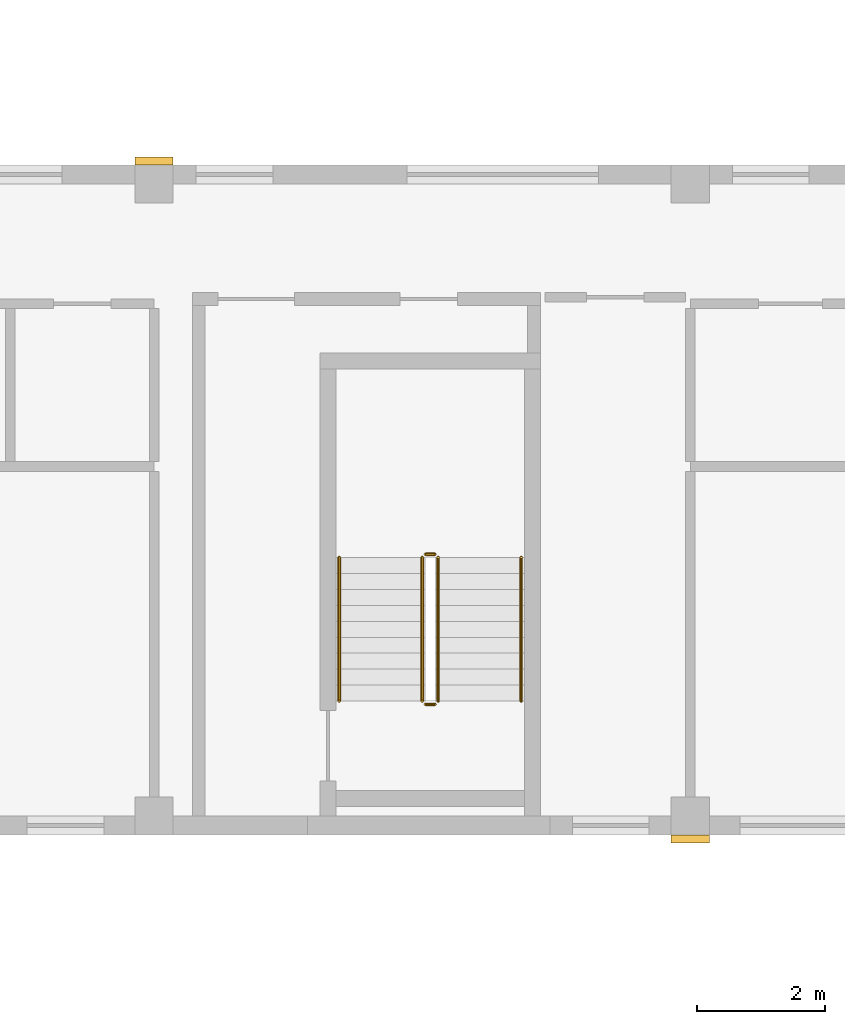
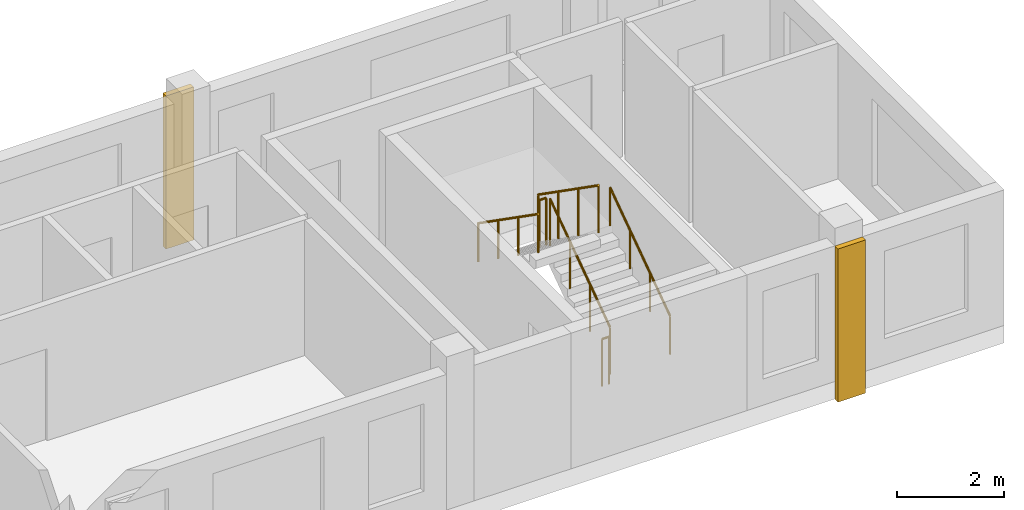
# One storey, part 9 of 10: 6 railings, 2 coverings.
"""IFC4 building model written with IfcOpenShell, lengths in metres."""

from ifc_helpers import new_model, si_unit, direction, frame, origin, origin_2d, place, context, subcontext, project, spatial, rectangle, circle, extrude, source, transform, mapped, material, type_object, element, save


model = new_model("IFC4")

# Units and contexts
model_context = context("Model", 3, precision=1e-05, world=origin(), true_north=direction((0.0, 1.0)))
body_context = subcontext(model_context, "Body", "Model", "MODEL_VIEW")
ifc_project = project(units=[si_unit("LENGTHUNIT", "METRE"), si_unit("AREAUNIT", "SQUARE_METRE"), si_unit("VOLUMEUNIT", "CUBIC_METRE"), si_unit("PLANEANGLEUNIT", "RADIAN"), si_unit("MASSUNIT", "GRAM", prefix="KILO")], contexts=[model_context])

# Site, building, storey
site_placement = place(None, origin())
site = spatial("IfcSite", under=ifc_project, at=site_placement, CompositionType="ELEMENT")
building_placement = place(site_placement, origin())
building = spatial("IfcBuilding", under=site, at=building_placement, Name="Aurelian Terraces", CompositionType="ELEMENT")
storey_placement = place(building_placement, frame((0.0, 0.0, 354.5)))
storey = spatial("IfcBuildingStorey", under=building, at=storey_placement, Name="L84", CompositionType="ELEMENT", Elevation=354.5)

# Coverings
ifc_material_1 = material(Name="Terracotta rainscreen cladding relief", Category="masonry")
covering_type = type_object("IfcCoveringType", Name="BAGUETTE-TC", PredefinedType="CLADDING", material=ifc_material_1)
shared_shape_1 = source(origin(), body_context, "Body", "SweptSolid", [
    extrude(rectangle(XDim=0.6, YDim=0.12, at=origin_2d()), origin(), (0.0, 0.0, 1.0), 3.5),
])
for number, where, z_axis, x_axis, name in (
    (1, (46.2, -0.06, -0.4), (0.0, 0.0, 1.0), (1.0, 0.0, 0.0), "BAGUETTE pier L84 3"),
    (2, (37.8, 10.56, -0.4), (0.0, 0.0, 1.0), (1.0, 0.0, 0.0), "BAGUETTE pier L84 4"),
):
    element("IfcCovering", number, at=place(storey_placement, frame(where, z_axis=z_axis, x_axis=x_axis)), inside=storey, type_object=covering_type, Name=name, PredefinedType="CLADDING", context=body_context, shape_type="MappedRepresentation", body=[
        mapped(shared_shape_1, transform((0.0, 0.0, 0.0), scale=1.0)),
    ])

# Railings
ifc_material_2 = material(Name="Stainless steel", Category="steel")
railing_type_1 = type_object("IfcRailingType", Name="Stair guard 1100", PredefinedType="GUARDRAIL", material=ifc_material_2)
shared_shape_2 = source(origin(), body_context, "Body", "SweptSolid", [
    extrude(circle(Radius=0.024, at=origin_2d()), frame((0.0, 0.0, 1.076), z_axis=(-1.0, 0.0, 0.0), x_axis=(0.0, -1.0, 0.0)), (0.0, 0.0, 1.0), 0.15),
    extrude(circle(Radius=0.021, at=origin_2d()), origin(), (0.0, 0.0, 1.0), 1.052),
    extrude(circle(Radius=0.021, at=origin_2d()), frame((-0.15, 0.0, 0.0)), (0.0, 0.0, 1.0), 1.052),
])
for number, where, name in (
    (3, (42.2, 4.4, 1.75), "L84 S2 stair guard 2"),
    (4, (42.2, 2.05, 0.0), "L84 S2 stair guard 4"),
):
    element("IfcRailing", number, at=place(storey_placement, frame(where)), inside=storey, type_object=railing_type_1, Name=name, PredefinedType="GUARDRAIL", context=body_context, shape_type="MappedRepresentation", body=[
        mapped(shared_shape_2, transform((0.0, 0.0, 0.0), scale=1.0)),
    ])
shared_shape_3 = source(origin(), body_context, "Body", "SweptSolid", [
    extrude(circle(Radius=0.024, at=origin_2d()), frame((0.0, 0.0, 1.076), z_axis=(0.0, 0.819231920519, 0.573462344363), x_axis=(-1.0, 0.0, 0.0)), (0.0, 0.0, 1.0), 2.7465),
    extrude(circle(Radius=0.021, at=origin_2d()), origin(), (0.0, 0.0, 1.0), 1.052),
    extrude(circle(Radius=0.021, at=origin_2d()), frame((0.0, 0.75, 0.525)), (0.0, 0.0, 1.0), 1.052),
    extrude(circle(Radius=0.021, at=origin_2d()), frame((0.0, 1.5, 1.05)), (0.0, 0.0, 1.0), 1.052),
    extrude(circle(Radius=0.021, at=origin_2d()), frame((0.0, 2.25, 1.575)), (0.0, 0.0, 1.0), 1.052),
])
railing_1_placement = place(storey_placement, frame((42.25, 2.1, 0.175)))
element("IfcRailing", 5, at=railing_1_placement, inside=storey, type_object=railing_type_1, Name="L84 S2 stair guard 1", PredefinedType="GUARDRAIL", context=body_context, shape_type="MappedRepresentation", body=[
    mapped(shared_shape_3, transform((0.0, 0.0, 0.0), scale=1.0)),
])
shared_shape_4 = source(origin(), body_context, "Body", "SweptSolid", [
    extrude(circle(Radius=0.024, at=origin_2d()), frame((0.0, 0.0, 1.076), z_axis=(0.0, -0.819231920519, 0.573462344363), x_axis=(1.0, 0.0, 0.0)), (0.0, 0.0, 1.0), 2.7465),
    extrude(circle(Radius=0.021, at=origin_2d()), origin(), (0.0, 0.0, 1.0), 1.052),
    extrude(circle(Radius=0.021, at=origin_2d()), frame((0.0, -0.75, 0.525)), (0.0, 0.0, 1.0), 1.052),
    extrude(circle(Radius=0.021, at=origin_2d()), frame((0.0, -1.5, 1.05)), (0.0, 0.0, 1.0), 1.052),
    extrude(circle(Radius=0.021, at=origin_2d()), frame((0.0, -2.25, 1.575)), (0.0, 0.0, 1.0), 1.052),
])
railing_2_placement = place(storey_placement, frame((42.0, 4.35, 1.925)))
element("IfcRailing", 6, at=railing_2_placement, inside=storey, type_object=railing_type_1, Name="L84 S2 stair guard 3", PredefinedType="GUARDRAIL", context=body_context, shape_type="MappedRepresentation", body=[
    mapped(shared_shape_4, transform((0.0, 0.0, 0.0), scale=1.0)),
])
railing_type_2 = type_object("IfcRailingType", Name="Stair handrail", PredefinedType="HANDRAIL", material=ifc_material_2)
shared_shape_5 = source(origin(), body_context, "Body", "SweptSolid", [
    extrude(circle(Radius=0.024, at=origin_2d()), frame((0.0, 0.0, 0.876), z_axis=(0.0, 0.819231920519, 0.573462344363), x_axis=(-1.0, 0.0, 0.0)), (0.0, 0.0, 1.0), 2.7465),
    extrude(circle(Radius=0.021, at=origin_2d()), origin(), (0.0, 0.0, 1.0), 0.852),
    extrude(circle(Radius=0.021, at=origin_2d()), frame((0.0, 0.75, 0.525)), (0.0, 0.0, 1.0), 0.852),
    extrude(circle(Radius=0.021, at=origin_2d()), frame((0.0, 1.5, 1.05)), (0.0, 0.0, 1.0), 0.852),
    extrude(circle(Radius=0.021, at=origin_2d()), frame((0.0, 2.25, 1.575)), (0.0, 0.0, 1.0), 0.852),
])
railing_3_placement = place(storey_placement, frame((43.55, 2.1, 0.175)))
element("IfcRailing", 7, at=railing_3_placement, inside=storey, type_object=railing_type_2, Name="L84 S2 stair handrail 1", PredefinedType="HANDRAIL", context=body_context, shape_type="MappedRepresentation", body=[
    mapped(shared_shape_5, transform((0.0, 0.0, 0.0), scale=1.0)),
])
shared_shape_6 = source(origin(), body_context, "Body", "SweptSolid", [
    extrude(circle(Radius=0.024, at=origin_2d()), frame((0.0, 0.0, 0.876), z_axis=(0.0, -0.819231920519, 0.573462344363), x_axis=(1.0, 0.0, 0.0)), (0.0, 0.0, 1.0), 2.7465),
    extrude(circle(Radius=0.021, at=origin_2d()), origin(), (0.0, 0.0, 1.0), 0.852),
    extrude(circle(Radius=0.021, at=origin_2d()), frame((0.0, -0.75, 0.525)), (0.0, 0.0, 1.0), 0.852),
    extrude(circle(Radius=0.021, at=origin_2d()), frame((0.0, -1.5, 1.05)), (0.0, 0.0, 1.0), 0.852),
    extrude(circle(Radius=0.021, at=origin_2d()), frame((0.0, -2.25, 1.575)), (0.0, 0.0, 1.0), 0.852),
])
railing_4_placement = place(storey_placement, frame((40.7, 4.35, 1.925)))
element("IfcRailing", 8, at=railing_4_placement, inside=storey, type_object=railing_type_2, Name="L84 S2 stair handrail 2", PredefinedType="HANDRAIL", context=body_context, shape_type="MappedRepresentation", body=[
    mapped(shared_shape_6, transform((0.0, 0.0, 0.0), scale=1.0)),
])

save(model, "model.ifc")
